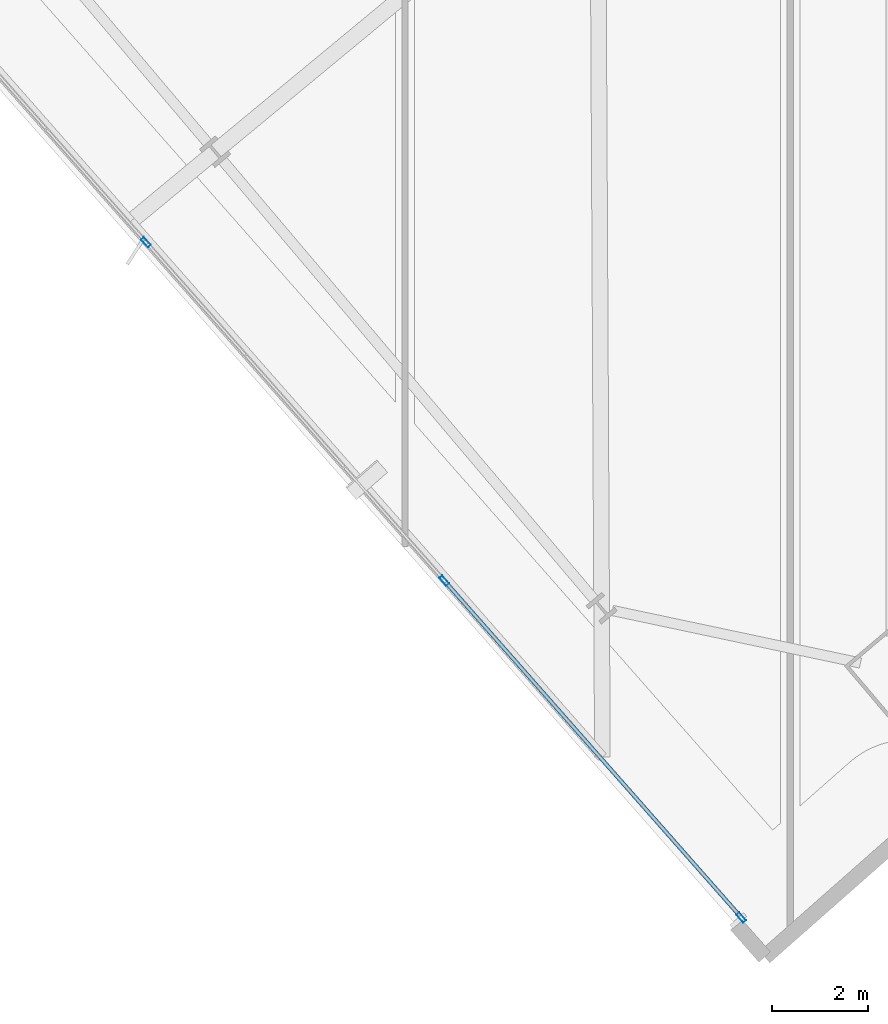
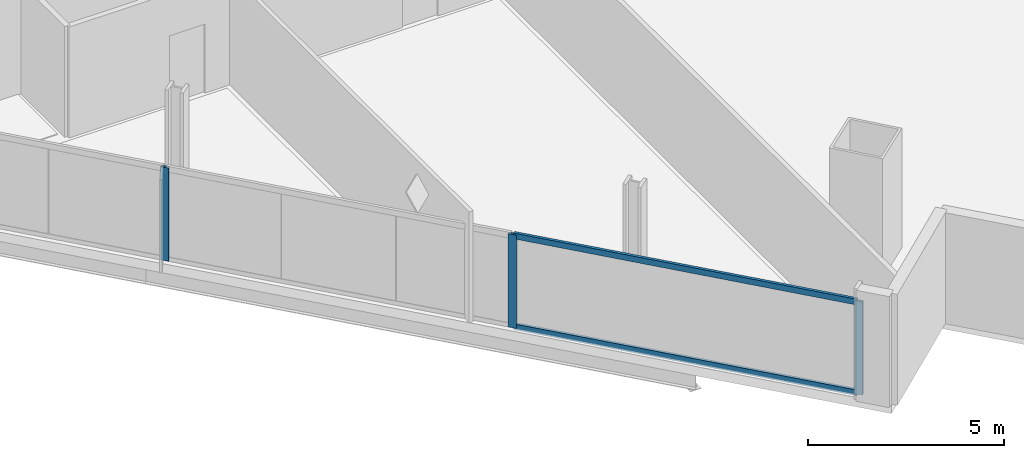
# One storey, part 2 of 34: 5 members, 1 element without a shape of its own.
"""IFC4 building model written with IfcOpenShell, lengths in metres."""

from ifc_helpers import new_model, si_unit, direction, frame, origin, origin_2d, place, context, subcontext, project, spatial, hollow_rectangle, extrude, material, material_profile, profile_set, type_object, element, aggregate, save


model = new_model("IFC4")

# Units and contexts
model_context = context("Model", 3, precision=1e-05, world=origin(), true_north=direction((0.0, 1.0)))
body_context = subcontext(model_context, "Body", "Model", "MODEL_VIEW")
ifc_project = project(units=[si_unit("LENGTHUNIT", "METRE"), si_unit("AREAUNIT", "SQUARE_METRE"), si_unit("VOLUMEUNIT", "CUBIC_METRE"), si_unit("PLANEANGLEUNIT", "RADIAN"), si_unit("MASSUNIT", "GRAM", prefix="KILO")], contexts=[model_context])

# Site, building, storey
site_placement = place(None, origin())
site = spatial("IfcSite", under=ifc_project, at=site_placement, CompositionType="ELEMENT")
building_placement = place(site_placement, origin())
building = spatial("IfcBuilding", under=site, at=building_placement, Name="Haldenkirk Collegiate Tower", CompositionType="ELEMENT")
storey_placement = place(building_placement, frame((0.0, 0.0, 166.949951171875)))
storey = spatial("IfcBuildingStorey", under=building, at=storey_placement, Name="L41", CompositionType="ELEMENT", Elevation=166.949951171875)

# Curtain wall, members
ifc_material = material(Name="Anodised architectural bronze aluminium", Category="aluminium")
curtain_wall_type = type_object("IfcCurtainWallType", Name="CW-SYS1-CONVEX-LOW", PredefinedType="USERDEFINED", material=ifc_material)
curtain_wall_placement = place(storey_placement, origin())
curtain_wall = element("IfcCurtainWall", 1, at=curtain_wall_placement, inside=storey, type_object=curtain_wall_type, Name="L41 Lower tower convex bronze-framed unitised curtain wall", ObjectType="UNITISED CURTAIN WALL", PredefinedType="USERDEFINED")
ifc_material_profile_1 = material_profile(ifc_material, hollow_rectangle(XDim=0.080078125, YDim=0.219970703125, WallThickness=0.0048828125, at=origin_2d()), Name="CW-MUL-1A")
ifc_profile_set_1 = profile_set([ifc_material_profile_1], Name="Anodised architectural bronze aluminium")
member_type_1 = type_object("IfcMemberType", Name="CW-MUL-1A", PredefinedType="MULLION", material=ifc_profile_set_1)
member_1_placement = place(storey_placement, frame((29.983642578125, -4.48046875, 0.0), z_axis=(0.0, 0.0, 1.0), x_axis=(-0.750112915401, -0.661309771702, 0.0)))
member_1 = element("IfcMember", 2, at=member_1_placement, type_object=member_type_1, Name="CW-1A mullion 1", PredefinedType="MULLION", context=body_context, shape_type="SweptSolid", body=[
    extrude(hollow_rectangle(XDim=0.080078125, YDim=0.219970703125, WallThickness=0.0048828125, at=origin_2d()), origin(), (0.0, 0.0, 1.0), 2.9111328125),
])
member_2_placement = place(storey_placement, frame((23.814453125, 2.51708984375, 0.0), z_axis=(0.0, 0.0, 1.0), x_axis=(-0.750112915401, -0.661309771702, 0.0)))
member_2 = element("IfcMember", 3, at=member_2_placement, type_object=member_type_1, Name="CW-1A mullion 2", PredefinedType="MULLION", context=body_context, shape_type="SweptSolid", body=[
    extrude(hollow_rectangle(XDim=0.080078125, YDim=0.219970703125, WallThickness=0.0048828125, at=origin_2d()), origin(), (0.0, 0.0, 1.0), 2.9111328125),
])
member_3_placement = place(storey_placement, frame((17.61865234375, 9.544677734375, 0.0), z_axis=(0.0, 0.0, 1.0), x_axis=(-0.750112915401, -0.661309771702, 0.0)))
member_3 = element("IfcMember", 4, at=member_3_placement, type_object=member_type_1, Name="CW-1A mullion 3", PredefinedType="MULLION", context=body_context, shape_type="SweptSolid", body=[
    extrude(hollow_rectangle(XDim=0.080078125, YDim=0.219970703125, WallThickness=0.0048828125, at=origin_2d()), origin(), (0.0, 0.0, 1.0), 2.9111328125),
])
ifc_material_profile_2 = material_profile(ifc_material, hollow_rectangle(XDim=0.080078125, YDim=0.179931640625, WallThickness=0.0048828125, at=origin_2d()), Name="CW-TRN-1A")
ifc_profile_set_2 = profile_set([ifc_material_profile_2], Name="Anodised architectural bronze aluminium")
member_type_2 = type_object("IfcMemberType", Name="CW-TRN-1A", PredefinedType="USERDEFINED", material=ifc_profile_set_2)
member_4_placement = place(storey_placement, frame((29.95703125, -4.450439453125, 0.0400390625), z_axis=(-0.66131076738, 0.750112037597, 0.0), x_axis=(-0.750112037597, -0.66131076738, 0.0)))
member_4 = element("IfcMember", 5, at=member_4_placement, type_object=member_type_2, Name="CW-1A transom 1.1", ObjectType="TRANSOM", PredefinedType="USERDEFINED", context=body_context, shape_type="SweptSolid", body=[
    extrude(hollow_rectangle(XDim=0.080078125, YDim=0.179931640625, WallThickness=0.0048828125, at=origin_2d()), origin(), (0.0, 0.0, 1.0), 9.24853515625),
])
member_5_placement = place(storey_placement, frame((29.95703125, -4.450439453125, 2.87109375), z_axis=(-0.66131076738, 0.750112037597, 0.0), x_axis=(-0.750112037597, -0.66131076738, 0.0)))
member_5 = element("IfcMember", 6, at=member_5_placement, type_object=member_type_2, Name="CW-1A transom 1.2", ObjectType="TRANSOM", PredefinedType="USERDEFINED", context=body_context, shape_type="SweptSolid", body=[
    extrude(hollow_rectangle(XDim=0.080078125, YDim=0.179931640625, WallThickness=0.0048828125, at=origin_2d()), origin(), (0.0, 0.0, 1.0), 9.24853515625),
])
aggregate(curtain_wall, [member_1, member_2, member_3, member_4, member_5])

save(model, "model.ifc")
